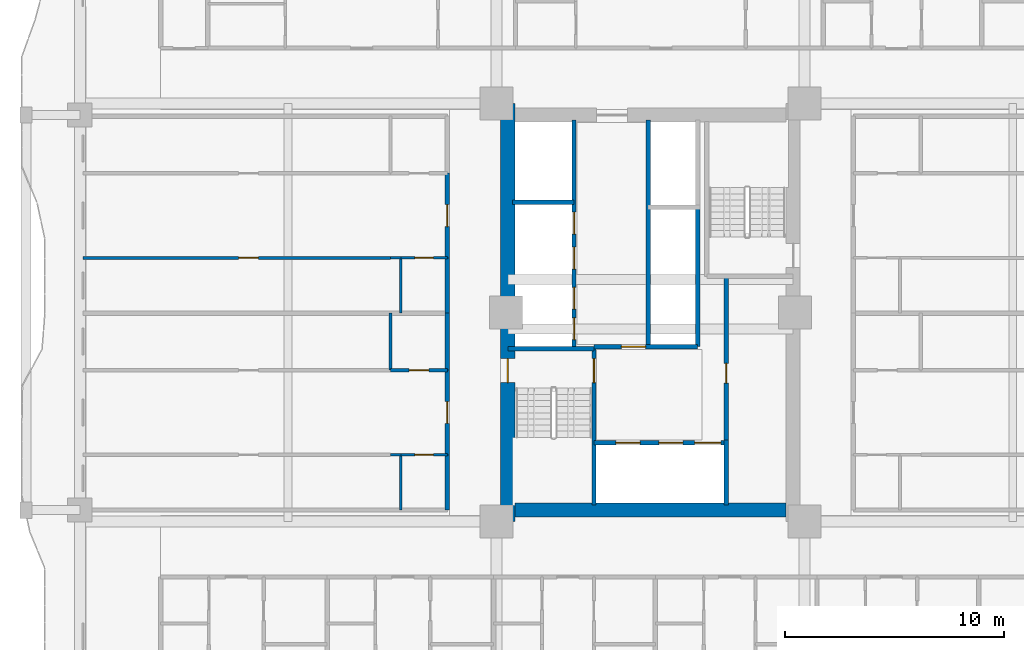
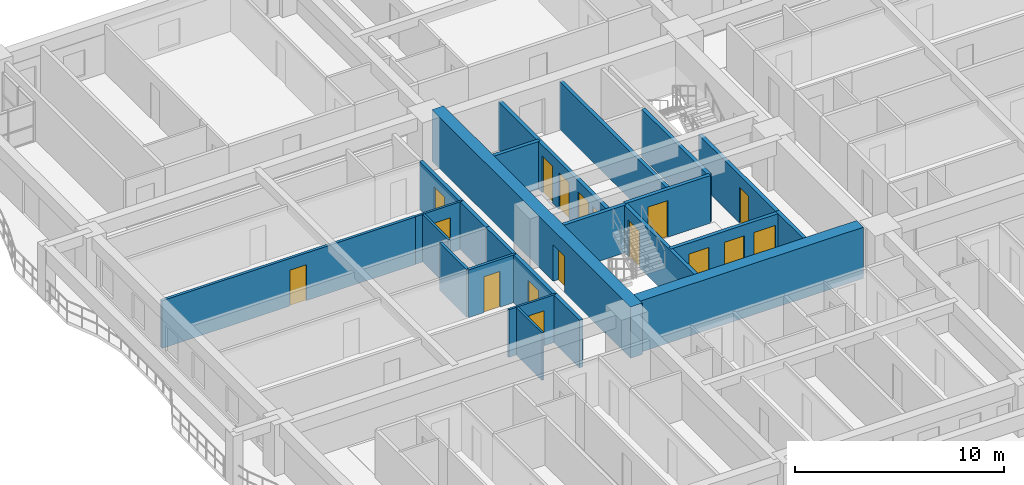
# One storey, part 16 of 28: 26 walls, 17 doors, 17 openings.
"""IFC4 building model written with IfcOpenShell, lengths in metres."""

from ifc_helpers import new_model, si_unit, direction, frame, frame_2d, origin, place, context, subcontext, project, spatial, rectangle, extrude, source, transform, mapped, material, layer, layer_set, type_object, element, fill, save


model = new_model("IFC4")

# Units and contexts
model_context = context("Model", 3, precision=1e-05, world=origin(), true_north=direction((0.0, 1.0)))
body_context = subcontext(model_context, "Body", "Model", "MODEL_VIEW")
ifc_project = project(units=[si_unit("LENGTHUNIT", "METRE"), si_unit("AREAUNIT", "SQUARE_METRE"), si_unit("VOLUMEUNIT", "CUBIC_METRE"), si_unit("PLANEANGLEUNIT", "RADIAN"), si_unit("MASSUNIT", "GRAM", prefix="KILO")], contexts=[model_context])

# Site, building, storey
site_placement = place(None, origin())
site = spatial("IfcSite", under=ifc_project, at=site_placement, CompositionType="ELEMENT")
building_placement = place(site_placement, origin())
building = spatial("IfcBuilding", under=site, at=building_placement, Name="Saelheon Loggia Tower", CompositionType="ELEMENT")
storey_placement = place(building_placement, frame((0.0, 0.0, 25.39990234375)))
storey = spatial("IfcBuildingStorey", under=building, at=storey_placement, Name="L07", CompositionType="ELEMENT", Elevation=25.39990234375)

# Wall, opening, door
ifc_material_1 = material(Name="Concrete C60/75", Category="concrete")
ifc_layer_1 = layer(ifc_material_1, 0.64990234375)
ifc_layer_set_1 = layer_set([ifc_layer_1], Name="Concrete C60/75")
wall_type_1 = type_object("IfcWallType", Name="Wall_CoreShear_650", PredefinedType="SHEAR", material=ifc_layer_set_1)
wall_1_placement = place(storey_placement, frame((31.5, 17.47998046875, 0.0), z_axis=(0.0, 0.0, 1.0), x_axis=(0.0, 1.0, 0.0)))
wall_1 = element("IfcWall", 1, at=wall_1_placement, inside=storey, type_object=wall_type_1, Name="L07 Core Shear Wall West", PredefinedType="SHEAR", context=body_context, shape_type="SweptSolid", body=[
    extrude(rectangle(XDim=19.0400390625, YDim=0.64990234375, at=frame_2d((9.52001953125, 0.0))), origin(), (0.0, 0.0, 1.0), 3.0),
])
opening_1_placement = place(wall_1_placement, frame((6.320068359375, 0.0, 0.0)))
opening_1 = element("IfcOpeningElement", 2, at=opening_1_placement, cuts=wall_1, Name="Opening D-FD2", PredefinedType="OPENING", context=body_context, shape_type="SweptSolid", body=[
    extrude(rectangle(XDim=1.10009765625, YDim=2.14990234375, at=frame_2d((0.550048828125, 1.074951171875))), frame((0.0, 0.3369140625, 0.0), z_axis=(0.0, -1.0, 0.0), x_axis=(1.0, 0.0, 0.0)), (0.0, 0.0, 1.0), 0.673828125),
])
ifc_material_2 = material(Name="Galvanised Steel Fire Door", Category="steel")
door_type_1 = type_object("IfcDoorType", Name="Door_Fire_FD60_1100", OperationType="NOTDEFINED", PredefinedType="DOOR", material=ifc_material_2)
shared_shape_1 = source(origin(), body_context, "Body", "SweptSolid", [
    extrude(rectangle(XDim=1.10009765625, YDim=2.14990234375, at=frame_2d((0.550048828125, 1.074951171875))), frame((0.0, 0.02490234375, 0.0), z_axis=(0.0, -1.0, 0.0), x_axis=(1.0, 0.0, 0.0)), (0.0, 0.0, 1.0), 0.050048828125),
])
door_1_placement = place(opening_1_placement, origin())
door_1 = element("IfcDoor", 3, at=door_1_placement, inside=storey, type_object=door_type_1, Name="L07 Stair ST1 Corridor Door", OperationType="SINGLE_SWING_LEFT", OverallHeight=2.14990234375, OverallWidth=1.10009765625, PredefinedType="DOOR", context=body_context, shape_type="MappedRepresentation", body=[
    mapped(shared_shape_1, transform((0.0, 0.0, 0.0), scale=1.0)),
])
fill(opening_1, door_1)

# Walls
wall_2_placement = place(storey_placement, frame((31.824951171875, 18.0, 0.0), z_axis=(0.0, 0.0, 1.0), x_axis=(1.0, 0.0, 0.0)))
element("IfcWall", 4, at=wall_2_placement, inside=storey, type_object=wall_type_1, Name="L07 Core Shear Wall South", PredefinedType="SHEAR", context=body_context, shape_type="SweptSolid", body=[
    extrude(rectangle(XDim=12.35009765625, YDim=0.64990234375, at=frame_2d((6.175048828125, 0.0))), origin(), (0.0, 0.0, 1.0), 3.0),
])
ifc_material_3 = material(Name="Lightweight Autoclaved Aerated Concrete Block and Acoustic Gypsum", Category="concrete")
ifc_layer_2 = layer(ifc_material_3, 0.14990234375)
ifc_layer_set_2 = layer_set([ifc_layer_2], Name="Lightweight Autoclaved Aerated Concrete Block and Acoustic Gypsum")
wall_type_2 = type_object("IfcWallType", Name="Wall_Part_150", PredefinedType="PARTITIONING", material=ifc_layer_set_2)
wall_3_placement = place(storey_placement, frame((26.159912109375, 24.375, 0.0), z_axis=(0.0, 0.0, 1.0), x_axis=(0.0, 1.0, 0.0)))
element("IfcWall", 5, at=wall_3_placement, inside=storey, type_object=wall_type_2, Name="L07 W Partition V07", PredefinedType="PARTITIONING", context=body_context, shape_type="SweptSolid", body=[
    extrude(rectangle(XDim=2.60009765625, YDim=0.14990234375, at=frame_2d((1.300048828125, 0.0))), origin(), (0.0, 0.0, 1.0), 2.7900390625),
])

# Wall, opening, door
wall_4_placement = place(storey_placement, frame((28.75, 24.375, 0.0), z_axis=(0.0, 0.0, 1.0), x_axis=(-1.0, 0.0, 0.0)))
wall_4 = element("IfcWall", 6, at=wall_4_placement, inside=storey, type_object=wall_type_2, Name="L07 W Partition U11", PredefinedType="PARTITIONING", context=body_context, shape_type="SweptSolid", body=[
    extrude(rectangle(XDim=2.590087890625, YDim=0.14990234375, at=frame_2d((1.294921875, 0.0))), origin(), (0.0, 0.0, 1.0), 2.7900390625),
])
opening_2_placement = place(wall_4_placement, frame((0.844970703125, 0.0, 0.0)))
opening_2 = element("IfcOpeningElement", 7, at=opening_2_placement, cuts=wall_4, Name="Opening D-IN2", PredefinedType="OPENING", context=body_context, shape_type="SweptSolid", body=[
    extrude(rectangle(XDim=0.89990234375, YDim=2.10009765625, at=frame_2d((0.449951171875, 1.050048828125))), frame((0.0, 0.0869140625, 0.0), z_axis=(0.0, -1.0, 0.0), x_axis=(1.0, 0.0, 0.0)), (0.0, 0.0, 1.0), 0.173828125),
])
ifc_material_4 = material(Name="Engineered Oak Flush Door", Category="timber")
door_type_2 = type_object("IfcDoorType", Name="Door_Int_900", OperationType="NOTDEFINED", PredefinedType="DOOR", material=ifc_material_4)
shared_shape_2 = source(origin(), body_context, "Body", "SweptSolid", [
    extrude(rectangle(XDim=0.89990234375, YDim=2.10009765625, at=frame_2d((0.449951171875, 1.050048828125))), frame((0.0, 0.02490234375, 0.0), z_axis=(0.0, -1.0, 0.0), x_axis=(1.0, 0.0, 0.0)), (0.0, 0.0, 1.0), 0.050048828125),
])
door_2_placement = place(opening_2_placement, origin())
door_2 = element("IfcDoor", 8, at=door_2_placement, inside=storey, type_object=door_type_2, Name="Unit U11 Dressing Closet Door", OperationType="SINGLE_SWING_LEFT", OverallHeight=2.10009765625, OverallWidth=0.89990234375, PredefinedType="DOOR", context=body_context, shape_type="MappedRepresentation", body=[
    mapped(shared_shape_2, transform((0.0, 0.0, 0.0), scale=1.0)),
])
fill(opening_2, door_2)

wall_5_placement = place(storey_placement, frame((26.159912109375, 29.488037109375, 0.0), z_axis=(0.0, 0.0, 1.0), x_axis=(-1.0, 0.0, 0.0)))
wall_5 = element("IfcWall", 9, at=wall_5_placement, inside=storey, type_object=wall_type_2, Name="L07 W Partition U21", PredefinedType="PARTITIONING", context=body_context, shape_type="SweptSolid", body=[
    extrude(rectangle(XDim=14.010009765625, YDim=0.14990234375, at=frame_2d((7.0048828125, 0.0))), origin(), (0.0, 0.0, 1.0), 2.7900390625),
])
opening_3_placement = place(wall_5_placement, frame((6.02880859375, 0.0, 0.0)))
opening_3 = element("IfcOpeningElement", 10, at=opening_3_placement, cuts=wall_5, Name="Opening D-IN2", PredefinedType="OPENING", context=body_context, shape_type="SweptSolid", body=[
    extrude(rectangle(XDim=0.89990234375, YDim=2.10009765625, at=frame_2d((0.449951171875, 1.050048828125))), frame((0.0, 0.0869140625, 0.0), z_axis=(0.0, -1.0, 0.0), x_axis=(1.0, 0.0, 0.0)), (0.0, 0.0, 1.0), 0.173828125),
])
door_3_placement = place(opening_3_placement, origin())
door_3 = element("IfcDoor", 11, at=door_3_placement, inside=storey, type_object=door_type_2, Name="Unit U12 Kitchen Door", OperationType="SINGLE_SWING_LEFT", OverallHeight=2.10009765625, OverallWidth=0.89990234375, PredefinedType="DOOR", context=body_context, shape_type="MappedRepresentation", body=[
    mapped(shared_shape_2, transform((0.0, 0.0, 0.0), scale=1.0)),
])
fill(opening_3, door_3)

# Wall
ifc_material_5 = material(Name="Double Acoustic Stud and Fireboard Partition", Category="gypsum")
ifc_layer_3 = layer(ifc_material_5, 0.199951171875)
ifc_layer_set_3 = layer_set([ifc_layer_3], Name="Double Acoustic Stud and Fireboard Partition")
wall_type_3 = type_object("IfcWallType", Name="Wall_Party_200", PredefinedType="PARTITIONING", material=ifc_layer_set_3)
wall_6_placement = place(storey_placement, frame((28.75, 18.0, 0.0), z_axis=(0.0, 0.0, 1.0), x_axis=(0.0, 1.0, 0.0)))
element("IfcWall", 12, at=wall_6_placement, inside=storey, type_object=wall_type_3, Name="L07 W Partition V03", PredefinedType="PARTITIONING", context=body_context, shape_type="SweptSolid", body=[
    extrude(rectangle(XDim=2.512939453125, YDim=0.199951171875, at=frame_2d((1.25634765625, 0.0))), origin(), (0.0, 0.0, 1.0), 2.7900390625),
])

# Wall, opening, door
wall_7_placement = place(storey_placement, frame((28.75, 20.512939453125, 0.0), z_axis=(0.0, 0.0, 1.0), x_axis=(0.0, 1.0, 0.0)))
wall_7 = element("IfcWall", 13, at=wall_7_placement, inside=storey, type_object=wall_type_3, Name="L07 W Partition V04", PredefinedType="PARTITIONING", context=body_context, shape_type="SweptSolid", body=[
    extrude(rectangle(XDim=3.862060546875, YDim=0.199951171875, at=frame_2d((1.93115234375, 0.0))), origin(), (0.0, 0.0, 1.0), 2.7900390625),
])
opening_4_placement = place(wall_7_placement, frame((1.430908203125, 0.0, 0.0)))
opening_4 = element("IfcOpeningElement", 14, at=opening_4_placement, cuts=wall_7, Name="Opening D-FD1", PredefinedType="OPENING", context=body_context, shape_type="SweptSolid", body=[
    extrude(rectangle(XDim=1.0, YDim=2.14990234375, at=frame_2d((0.5, 1.074951171875))), frame((0.0, 0.112060546875, 0.0), z_axis=(0.0, -1.0, 0.0), x_axis=(1.0, 0.0, 0.0)), (0.0, 0.0, 1.0), 0.223876953125),
])
ifc_material_6 = material(Name="Fire-Rated Engineered Timber Entrance Door", Category="wood")
door_type_3 = type_object("IfcDoorType", Name="Door_Flat_FD30S", OperationType="NOTDEFINED", PredefinedType="DOOR", material=ifc_material_6)
shared_shape_3 = source(origin(), body_context, "Body", "SweptSolid", [
    extrude(rectangle(XDim=1.0, YDim=2.14990234375, at=frame_2d((0.5, 1.074951171875))), frame((0.0, 0.02490234375, 0.0), z_axis=(0.0, -1.0, 0.0), x_axis=(1.0, 0.0, 0.0)), (0.0, 0.0, 1.0), 0.050048828125),
])
door_4_placement = place(opening_4_placement, origin())
door_4 = element("IfcDoor", 15, at=door_4_placement, inside=storey, type_object=door_type_3, Name="Unit U11 Entrance Door", OperationType="SINGLE_SWING_RIGHT", OverallHeight=2.14990234375, OverallWidth=1.0, PredefinedType="DOOR", context=body_context, shape_type="MappedRepresentation", body=[
    mapped(shared_shape_3, transform((0.0, 0.0, 0.0), scale=1.0)),
])
fill(opening_4, door_4)

# Walls
wall_8_placement = place(storey_placement, frame((28.75, 24.375, 0.0), z_axis=(0.0, 0.0, 1.0), x_axis=(0.0, 1.0, 0.0)))
element("IfcWall", 16, at=wall_8_placement, inside=storey, type_object=wall_type_3, Name="L07 W Partition V05", PredefinedType="PARTITIONING", context=body_context, shape_type="SweptSolid", body=[
    extrude(rectangle(XDim=2.60009765625, YDim=0.199951171875, at=frame_2d((1.300048828125, 0.0))), origin(), (0.0, 0.0, 1.0), 2.7900390625),
])
wall_9_placement = place(storey_placement, frame((28.75, 26.97509765625, 0.0), z_axis=(0.0, 0.0, 1.0), x_axis=(0.0, 1.0, 0.0)))
element("IfcWall", 17, at=wall_9_placement, inside=storey, type_object=wall_type_3, Name="L07 W Partition V14", PredefinedType="PARTITIONING", context=body_context, shape_type="SweptSolid", body=[
    extrude(rectangle(XDim=2.512939453125, YDim=0.199951171875, at=frame_2d((1.25634765625, 0.0))), origin(), (0.0, 0.0, 1.0), 2.7900390625),
])

# Wall, opening, door
wall_10_placement = place(storey_placement, frame((28.75, 29.488037109375, 0.0), z_axis=(0.0, 0.0, 1.0), x_axis=(0.0, 1.0, 0.0)))
wall_10 = element("IfcWall", 18, at=wall_10_placement, inside=storey, type_object=wall_type_3, Name="L07 W Partition V15", PredefinedType="PARTITIONING", context=body_context, shape_type="SweptSolid", body=[
    extrude(rectangle(XDim=3.862060546875, YDim=0.199951171875, at=frame_2d((1.93115234375, 0.0))), origin(), (0.0, 0.0, 1.0), 2.7900390625),
])
opening_5_placement = place(wall_10_placement, frame((1.430908203125, 0.0, 0.0)))
opening_5 = element("IfcOpeningElement", 19, at=opening_5_placement, cuts=wall_10, Name="Opening D-FD1", PredefinedType="OPENING", context=body_context, shape_type="SweptSolid", body=[
    extrude(rectangle(XDim=1.0, YDim=2.14990234375, at=frame_2d((0.5, 1.074951171875))), frame((0.0, 0.112060546875, 0.0), z_axis=(0.0, -1.0, 0.0), x_axis=(1.0, 0.0, 0.0)), (0.0, 0.0, 1.0), 0.223876953125),
])
door_5_placement = place(opening_5_placement, origin())
door_5 = element("IfcDoor", 20, at=door_5_placement, inside=storey, type_object=door_type_3, Name="Unit U12 Entrance Door", OperationType="SINGLE_SWING_LEFT", OverallHeight=2.14990234375, OverallWidth=1.0, PredefinedType="DOOR", context=body_context, shape_type="MappedRepresentation", body=[
    mapped(shared_shape_3, transform((0.0, 0.0, 0.0), scale=1.0)),
])
fill(opening_5, door_5)

# Wall
ifc_material_7 = material(Name="Concrete C40/50", Category="concrete")
ifc_layer_4 = layer(ifc_material_7, 0.199951171875)
ifc_layer_set_4 = layer_set([ifc_layer_4], Name="Concrete C40/50")
wall_type_4 = type_object("IfcWallType", Name="Wall_Shaft_200", PredefinedType="PARTITIONING", material=ifc_layer_set_4)
wall_11_placement = place(storey_placement, frame((41.449951171875, 18.219970703125, 0.0), z_axis=(0.0, 0.0, 1.0), x_axis=(0.0, 1.0, 0.0)))
element("IfcWall", 21, at=wall_11_placement, inside=storey, type_object=wall_type_4, Name="CW-INT-L07-BOH-W0", PredefinedType="PARTITIONING", context=body_context, shape_type="SweptSolid", body=[
    extrude(rectangle(XDim=2.9599609375, YDim=0.199951171875, at=frame_2d((1.47998046875, 0.0))), origin(), (0.0, 0.0, 1.0), 2.7900390625),
])

# Wall, opening, door
wall_12_placement = place(storey_placement, frame((41.449951171875, 21.179931640625, 0.0), z_axis=(0.0, 0.0, 1.0), x_axis=(0.0, 1.0, 0.0)))
wall_12 = element("IfcWall", 22, at=wall_12_placement, inside=storey, type_object=wall_type_4, Name="CW-INT-L07-BOH-W1", PredefinedType="PARTITIONING", context=body_context, shape_type="SweptSolid", body=[
    extrude(rectangle(XDim=7.420166015625, YDim=0.199951171875, at=frame_2d((3.7099609375, 0.0))), origin(), (0.0, 0.0, 1.0), 2.7900390625),
])
opening_6_placement = place(wall_12_placement, frame((2.60009765625, 0.0, 0.0)))
opening_6 = element("IfcOpeningElement", 23, at=opening_6_placement, cuts=wall_12, Name="Opening D-RS1", PredefinedType="OPENING", context=body_context, shape_type="SweptSolid", body=[
    extrude(rectangle(XDim=0.89990234375, YDim=2.10009765625, at=frame_2d((0.449951171875, 1.050048828125))), frame((0.0, 0.112060546875, 0.0), z_axis=(0.0, -1.0, 0.0), x_axis=(1.0, 0.0, 0.0)), (0.0, 0.0, 1.0), 0.223876953125),
])
ifc_material_8 = material(Name="Galvanised Steel Riser Access Door", Category="steel")
door_type_4 = type_object("IfcDoorType", Name="Door_Riser_FD60", OperationType="NOTDEFINED", PredefinedType="DOOR", material=ifc_material_8)
door_6_placement = place(opening_6_placement, origin())
door_6 = element("IfcDoor", 24, at=door_6_placement, inside=storey, type_object=door_type_4, Name="L07 Core Service Store Door", OperationType="SINGLE_SWING_RIGHT", OverallHeight=2.10009765625, OverallWidth=0.89990234375, PredefinedType="DOOR", context=body_context, shape_type="MappedRepresentation", body=[
    mapped(shared_shape_2, transform((0.0, 0.0, 0.0), scale=1.0)),
])
fill(opening_6, door_6)

# Wall
wall_13_placement = place(storey_placement, frame((40.14990234375, 25.43994140625, 0.0), z_axis=(0.0, 0.0, 1.0), x_axis=(0.0, 1.0, 0.0)))
element("IfcWall", 25, at=wall_13_placement, inside=storey, type_object=wall_type_4, Name="L07 Core Service Passage West Wall", PredefinedType="PARTITIONING", context=body_context, shape_type="SweptSolid", body=[
    extrude(rectangle(XDim=6.360107421875, YDim=0.199951171875, at=frame_2d((3.18017578125, 0.0))), origin(), (0.0, 0.0, 1.0), 2.7900390625),
])

# Wall, openings, doors
wall_14_placement = place(storey_placement, frame((35.429931640625, 21.06005859375, 0.0), z_axis=(0.0, 0.0, 1.0), x_axis=(1.0, 0.0, 0.0)))
wall_14 = element("IfcWall", 26, at=wall_14_placement, inside=storey, type_object=wall_type_4, Name="L07 Firefighting Lift Shaft Front Wall", PredefinedType="PARTITIONING", context=body_context, shape_type="SweptSolid", body=[
    extrude(rectangle(XDim=6.02001953125, YDim=0.199951171875, at=frame_2d((3.010009765625, 0.0))), origin(), (0.0, 0.0, 1.0), 2.7900390625),
])
opening_7_placement = place(wall_14_placement, frame((1.0, 0.0, 0.0)))
opening_7 = element("IfcOpeningElement", 27, at=opening_7_placement, cuts=wall_14, Name="Opening LD2", PredefinedType="OPENING", context=body_context, shape_type="SweptSolid", body=[
    extrude(rectangle(XDim=1.10009765625, YDim=2.14990234375, at=frame_2d((0.550048828125, 1.074951171875))), frame((0.0, 0.112060546875, 0.0), z_axis=(0.0, -1.0, 0.0), x_axis=(1.0, 0.0, 0.0)), (0.0, 0.0, 1.0), 0.223876953125),
])
opening_8_placement = place(wall_14_placement, frame((2.949951171875, 0.0, 0.0)))
opening_8 = element("IfcOpeningElement", 28, at=opening_8_placement, cuts=wall_14, Name="Opening LD2", PredefinedType="OPENING", context=body_context, shape_type="SweptSolid", body=[
    extrude(rectangle(XDim=1.10009765625, YDim=2.14990234375, at=frame_2d((0.550048828125, 1.074951171875))), frame((0.0, 0.112060546875, 0.0), z_axis=(0.0, -1.0, 0.0), x_axis=(1.0, 0.0, 0.0)), (0.0, 0.0, 1.0), 0.223876953125),
])
opening_9_placement = place(wall_14_placement, frame((4.580078125, 0.0, 0.0)))
opening_9 = element("IfcOpeningElement", 29, at=opening_9_placement, cuts=wall_14, Name="Opening LD3", PredefinedType="OPENING", context=body_context, shape_type="SweptSolid", body=[
    extrude(rectangle(XDim=1.199951171875, YDim=2.14990234375, at=frame_2d((0.60009765625, 1.074951171875))), frame((0.0, 0.112060546875, 0.0), z_axis=(0.0, -1.0, 0.0), x_axis=(1.0, 0.0, 0.0)), (0.0, 0.0, 1.0), 0.223876953125),
])
ifc_material_9 = material(Name="Firefighting Stainless Steel 316 Landing Door", Category="steel")
door_type_5 = type_object("IfcDoorType", Name="Door_Lift_LD2", OperationType="DOUBLE_DOOR_SLIDING", PredefinedType="DOOR", material=ifc_material_9)
door_7_placement = place(opening_7_placement, origin())
door_7 = element("IfcDoor", 30, at=door_7_placement, inside=storey, type_object=door_type_5, Name="L07 FF1 Landing Door", OperationType="DOUBLE_DOOR_SLIDING", OverallHeight=2.14990234375, OverallWidth=1.10009765625, PredefinedType="DOOR", context=body_context, shape_type="MappedRepresentation", body=[
    mapped(shared_shape_1, transform((0.0, 0.0, 0.0), scale=1.0)),
])
fill(opening_7, door_7)
door_8_placement = place(opening_8_placement, origin())
door_8 = element("IfcDoor", 31, at=door_8_placement, inside=storey, type_object=door_type_5, Name="L07 FF2 Landing Door", OperationType="DOUBLE_DOOR_SLIDING", OverallHeight=2.14990234375, OverallWidth=1.10009765625, PredefinedType="DOOR", context=body_context, shape_type="MappedRepresentation", body=[
    mapped(shared_shape_1, transform((0.0, 0.0, 0.0), scale=1.0)),
])
fill(opening_8, door_8)
ifc_material_10 = material(Name="Stretcher Lift Stainless Steel 304 Landing Door", Category="steel")
door_type_6 = type_object("IfcDoorType", Name="Door_Lift_LD3", OperationType="DOUBLE_DOOR_SLIDING", PredefinedType="DOOR", material=ifc_material_10)
shared_shape_4 = source(origin(), body_context, "Body", "SweptSolid", [
    extrude(rectangle(XDim=1.199951171875, YDim=2.14990234375, at=frame_2d((0.60009765625, 1.074951171875))), frame((0.0, 0.02490234375, 0.0), z_axis=(0.0, -1.0, 0.0), x_axis=(1.0, 0.0, 0.0)), (0.0, 0.0, 1.0), 0.050048828125),
])
door_9_placement = place(opening_9_placement, origin())
door_9 = element("IfcDoor", 32, at=door_9_placement, inside=storey, type_object=door_type_6, Name="L07 SV1 Landing Door", OperationType="DOUBLE_DOOR_SLIDING", OverallHeight=2.14990234375, OverallWidth=1.199951171875, PredefinedType="DOOR", context=body_context, shape_type="MappedRepresentation", body=[
    mapped(shared_shape_4, transform((0.0, 0.0, 0.0), scale=1.0)),
])
fill(opening_9, door_9)

# Wall, opening, door
wall_15_placement = place(storey_placement, frame((35.429931640625, 25.43994140625, 0.0), z_axis=(0.0, 0.0, 1.0), x_axis=(1.0, 0.0, 0.0)))
wall_15 = element("IfcWall", 33, at=wall_15_placement, inside=storey, type_object=wall_type_4, Name="L07 Firefighting Lobby Compartment Wall", PredefinedType="PARTITIONING", context=body_context, shape_type="SweptSolid", body=[
    extrude(rectangle(XDim=4.719970703125, YDim=0.199951171875, at=frame_2d((2.35986328125, 0.0))), origin(), (0.0, 0.0, 1.0), 2.7900390625),
])
opening_10_placement = place(wall_15_placement, frame((1.25, 0.0, 0.0)))
opening_10 = element("IfcOpeningElement", 34, at=opening_10_placement, cuts=wall_15, Name="Opening D-FD2", PredefinedType="OPENING", context=body_context, shape_type="SweptSolid", body=[
    extrude(rectangle(XDim=1.10009765625, YDim=2.14990234375, at=frame_2d((0.550048828125, 1.074951171875))), frame((0.0, 0.112060546875, 0.0), z_axis=(0.0, -1.0, 0.0), x_axis=(1.0, 0.0, 0.0)), (0.0, 0.0, 1.0), 0.223876953125),
])
door_10_placement = place(opening_10_placement, origin())
door_10 = element("IfcDoor", 35, at=door_10_placement, inside=storey, type_object=door_type_1, Name="L07 Firefighting Lobby Door", OperationType="SINGLE_SWING_LEFT", OverallHeight=2.14990234375, OverallWidth=1.10009765625, PredefinedType="DOOR", context=body_context, shape_type="MappedRepresentation", body=[
    mapped(shared_shape_1, transform((0.0, 0.0, 0.0), scale=1.0)),
])
fill(opening_10, door_10)

# Wall, openings, doors
wall_16_placement = place(storey_placement, frame((34.52001953125, 25.43994140625, 0.0), z_axis=(0.0, 0.0, 1.0), x_axis=(0.0, 1.0, 0.0)))
wall_16 = element("IfcWall", 36, at=wall_16_placement, inside=storey, type_object=wall_type_4, Name="L07 West Passenger Lift Bank Wall", PredefinedType="PARTITIONING", context=body_context, shape_type="SweptSolid", body=[
    extrude(rectangle(XDim=10.340087890625, YDim=0.199951171875, at=frame_2d((5.169921875, 0.0))), origin(), (0.0, 0.0, 1.0), 2.7900390625),
])
opening_11_placement = place(wall_16_placement, frame((0.320068359375, 0.0, 0.0)))
opening_11 = element("IfcOpeningElement", 37, at=opening_11_placement, cuts=wall_16, Name="Opening LD1", PredefinedType="OPENING", context=body_context, shape_type="SweptSolid", body=[
    extrude(rectangle(XDim=1.0, YDim=2.14990234375, at=frame_2d((0.5, 1.074951171875))), frame((0.0, 0.112060546875, 0.0), z_axis=(0.0, -1.0, 0.0), x_axis=(1.0, 0.0, 0.0)), (0.0, 0.0, 1.0), 0.223876953125),
])
opening_12_placement = place(wall_16_placement, frame((1.7099609375, 0.0, 0.0)))
opening_12 = element("IfcOpeningElement", 38, at=opening_12_placement, cuts=wall_16, Name="Opening LD1", PredefinedType="OPENING", context=body_context, shape_type="SweptSolid", body=[
    extrude(rectangle(XDim=1.0, YDim=2.14990234375, at=frame_2d((0.5, 1.074951171875))), frame((0.0, 0.112060546875, 0.0), z_axis=(0.0, -1.0, 0.0), x_axis=(1.0, 0.0, 0.0)), (0.0, 0.0, 1.0), 0.223876953125),
])
opening_13_placement = place(wall_16_placement, frame((3.534912109375, 0.0, 0.0)))
opening_13 = element("IfcOpeningElement", 39, at=opening_13_placement, cuts=wall_16, Name="Opening LD1", PredefinedType="OPENING", context=body_context, shape_type="SweptSolid", body=[
    extrude(rectangle(XDim=1.0, YDim=2.14990234375, at=frame_2d((0.5, 1.074951171875))), frame((0.0, 0.112060546875, 0.0), z_axis=(0.0, -1.0, 0.0), x_axis=(1.0, 0.0, 0.0)), (0.0, 0.0, 1.0), 0.223876953125),
])
opening_14_placement = place(wall_16_placement, frame((5.135009765625, 0.0, 0.0)))
opening_14 = element("IfcOpeningElement", 40, at=opening_14_placement, cuts=wall_16, Name="Opening LD1", PredefinedType="OPENING", context=body_context, shape_type="SweptSolid", body=[
    extrude(rectangle(XDim=1.0, YDim=2.14990234375, at=frame_2d((0.5, 1.074951171875))), frame((0.0, 0.112060546875, 0.0), z_axis=(0.0, -1.0, 0.0), x_axis=(1.0, 0.0, 0.0)), (0.0, 0.0, 1.0), 0.223876953125),
])
ifc_material_11 = material(Name="Brushed Stainless Steel 304 Landing Door", Category="steel")
door_type_7 = type_object("IfcDoorType", Name="Door_Lift_LD1", OperationType="DOUBLE_DOOR_SLIDING", PredefinedType="DOOR", material=ifc_material_11)
door_11_placement = place(opening_11_placement, origin())
door_11 = element("IfcDoor", 41, at=door_11_placement, inside=storey, type_object=door_type_7, Name="L07 PL1 Landing Door", OperationType="DOUBLE_DOOR_SLIDING", OverallHeight=2.14990234375, OverallWidth=1.0, PredefinedType="DOOR", context=body_context, shape_type="MappedRepresentation", body=[
    mapped(shared_shape_3, transform((0.0, 0.0, 0.0), scale=1.0)),
])
fill(opening_11, door_11)
door_12_placement = place(opening_12_placement, origin())
door_12 = element("IfcDoor", 42, at=door_12_placement, inside=storey, type_object=door_type_7, Name="L07 PL2 Landing Door", OperationType="DOUBLE_DOOR_SLIDING", OverallHeight=2.14990234375, OverallWidth=1.0, PredefinedType="DOOR", context=body_context, shape_type="MappedRepresentation", body=[
    mapped(shared_shape_3, transform((0.0, 0.0, 0.0), scale=1.0)),
])
fill(opening_12, door_12)
door_13_placement = place(opening_13_placement, origin())
door_13 = element("IfcDoor", 43, at=door_13_placement, inside=storey, type_object=door_type_7, Name="L07 PL3 Landing Door", OperationType="DOUBLE_DOOR_SLIDING", OverallHeight=2.14990234375, OverallWidth=1.0, PredefinedType="DOOR", context=body_context, shape_type="MappedRepresentation", body=[
    mapped(shared_shape_3, transform((0.0, 0.0, 0.0), scale=1.0)),
])
fill(opening_13, door_13)
door_14_placement = place(opening_14_placement, origin())
door_14 = element("IfcDoor", 44, at=door_14_placement, inside=storey, type_object=door_type_7, Name="L07 PL4 Landing Door", OperationType="DOUBLE_DOOR_SLIDING", OverallHeight=2.14990234375, OverallWidth=1.0, PredefinedType="DOOR", context=body_context, shape_type="MappedRepresentation", body=[
    mapped(shared_shape_3, transform((0.0, 0.0, 0.0), scale=1.0)),
])
fill(opening_14, door_14)

# Walls
wall_17_placement = place(storey_placement, frame((31.719970703125, 32.02001953125, 0.0), z_axis=(0.0, 0.0, 1.0), x_axis=(1.0, 0.0, 0.0)))
element("IfcWall", 45, at=wall_17_placement, inside=storey, type_object=wall_type_4, Name="L07 West High-Rise Shaft Divider", PredefinedType="PARTITIONING", context=body_context, shape_type="SweptSolid", body=[
    extrude(rectangle(XDim=2.800048828125, YDim=0.199951171875, at=frame_2d((1.39990234375, 0.0))), origin(), (0.0, 0.0, 1.0), 2.7900390625),
])
wall_18_placement = place(storey_placement, frame((37.89990234375, 25.43994140625, 0.0), z_axis=(0.0, 0.0, 1.0), x_axis=(0.0, 1.0, 0.0)))
element("IfcWall", 46, at=wall_18_placement, inside=storey, type_object=wall_type_4, Name="L07 East Passenger Lift Bank Wall", PredefinedType="PARTITIONING", context=body_context, shape_type="SweptSolid", body=[
    extrude(rectangle(XDim=10.340087890625, YDim=0.199951171875, at=frame_2d((5.169921875, 0.0))), origin(), (0.0, 0.0, 1.0), 2.7900390625),
])

# Wall, opening, door
ifc_material_12 = material(Name="Concrete C45/55", Category="concrete")
ifc_layer_5 = layer(ifc_material_12, 0.199951171875)
ifc_layer_set_5 = layer_set([ifc_layer_5], Name="Concrete C45/55")
wall_type_5 = type_object("IfcWallType", Name="Wall_StairShaft_RC200", PredefinedType="SOLIDWALL", material=ifc_layer_set_5)
wall_19_placement = place(storey_placement, frame((35.429931640625, 18.219970703125, 0.0), z_axis=(0.0, 0.0, 1.0), x_axis=(0.0, 1.0, 0.0)))
wall_19 = element("IfcWall", 47, at=wall_19_placement, inside=storey, type_object=wall_type_5, Name="L07 Stair ST1 Shaft Wall", PredefinedType="SOLIDWALL", context=body_context, shape_type="SweptSolid", body=[
    extrude(rectangle(XDim=7.219970703125, YDim=0.199951171875, at=frame_2d((3.60986328125, 0.0))), origin(), (0.0, 0.0, 1.0), 2.7900390625),
])
opening_15_placement = place(wall_19_placement, frame((6.68017578125, 0.0, 0.0), z_axis=(0.0, 0.0, 1.0), x_axis=(-1.0, 0.0, 0.0)))
opening_15 = element("IfcOpeningElement", 48, at=opening_15_placement, cuts=wall_19, Name="Opening D-FD2", PredefinedType="OPENING", context=body_context, shape_type="SweptSolid", body=[
    extrude(rectangle(XDim=1.10009765625, YDim=2.14990234375, at=frame_2d((0.550048828125, 1.074951171875))), frame((0.0, 0.112060546875, 0.0), z_axis=(0.0, -1.0, 0.0), x_axis=(1.0, 0.0, 0.0)), (0.0, 0.0, 1.0), 0.223876953125),
])
door_15_placement = place(opening_15_placement, origin())
door_15 = element("IfcDoor", 49, at=door_15_placement, inside=storey, type_object=door_type_1, Name="L07 Stair ST1 Lobby Door", OperationType="SINGLE_SWING_RIGHT", OverallHeight=2.14990234375, OverallWidth=1.10009765625, PredefinedType="DOOR", context=body_context, shape_type="MappedRepresentation", body=[
    mapped(shared_shape_1, transform((0.0, 0.0, 0.0), scale=1.0)),
])
fill(opening_15, door_15)

# Walls
wall_20_placement = place(storey_placement, frame((31.5, 25.35009765625, 0.0), z_axis=(0.0, 0.0, 1.0), x_axis=(1.0, 0.0, 0.0)))
element("IfcWall", 50, at=wall_20_placement, inside=storey, type_object=wall_type_5, Name="L07 Stair ST1 North Wall", PredefinedType="SOLIDWALL", context=body_context, shape_type="SweptSolid", body=[
    extrude(rectangle(XDim=3.929931640625, YDim=0.199951171875, at=frame_2d((1.96484375, 0.0))), origin(), (0.0, 0.0, 1.0), 2.7900390625),
])
ifc_material_13 = material(Name="Moisture-Resistant Cement Board Partition", Category="gypsum")
ifc_layer_6 = layer(ifc_material_13, 0.1201171875)
ifc_layer_set_6 = layer_set([ifc_layer_6], Name="Moisture-Resistant Cement Board Partition")
wall_type_6 = type_object("IfcWallType", Name="Wall_WetPart_120", PredefinedType="PARTITIONING", material=ifc_layer_set_6)
wall_21_placement = place(storey_placement, frame((26.6298828125, 18.0, 0.0), z_axis=(0.0, 0.0, 1.0), x_axis=(0.0, 1.0, 0.0)))
element("IfcWall", 51, at=wall_21_placement, inside=storey, type_object=wall_type_6, Name="L07 W Partition V06", PredefinedType="PARTITIONING", context=body_context, shape_type="SweptSolid", body=[
    extrude(rectangle(XDim=2.512939453125, YDim=0.1201171875, at=frame_2d((1.25634765625, 0.0))), origin(), (0.0, 0.0, 1.0), 2.7900390625),
])

# Wall, opening, door
wall_22_placement = place(storey_placement, frame((28.75, 20.512939453125, 0.0), z_axis=(0.0, 0.0, 1.0), x_axis=(-1.0, 0.0, 0.0)))
wall_22 = element("IfcWall", 52, at=wall_22_placement, inside=storey, type_object=wall_type_6, Name="L07 W Partition U08", PredefinedType="PARTITIONING", context=body_context, shape_type="SweptSolid", body=[
    extrude(rectangle(XDim=2.1201171875, YDim=0.1201171875, at=frame_2d((1.06005859375, 0.0))), origin(), (0.0, 0.0, 1.0), 2.7900390625),
])
opening_16_placement = place(wall_22_placement, frame((0.635009765625, 0.0, 0.0)))
opening_16 = element("IfcOpeningElement", 53, at=opening_16_placement, cuts=wall_22, Name="Opening D-BT1", PredefinedType="OPENING", context=body_context, shape_type="SweptSolid", body=[
    extrude(rectangle(XDim=0.85009765625, YDim=2.050048828125, at=frame_2d((0.425048828125, 1.02490234375))), frame((0.0, 0.072021484375, 0.0), z_axis=(0.0, -1.0, 0.0), x_axis=(1.0, 0.0, 0.0)), (0.0, 0.0, 1.0), 0.14404296875),
])
ifc_material_14 = material(Name="Moisture-Resistant Laminate Timber Door", Category="wood")
door_type_8 = type_object("IfcDoorType", Name="Door_Bath_850", OperationType="NOTDEFINED", PredefinedType="DOOR", material=ifc_material_14)
shared_shape_5 = source(origin(), body_context, "Body", "SweptSolid", [
    extrude(rectangle(XDim=0.85009765625, YDim=2.050048828125, at=frame_2d((0.425048828125, 1.02490234375))), frame((0.0, 0.02490234375, 0.0), z_axis=(0.0, -1.0, 0.0), x_axis=(1.0, 0.0, 0.0)), (0.0, 0.0, 1.0), 0.050048828125),
])
door_16_placement = place(opening_16_placement, origin())
door_16 = element("IfcDoor", 54, at=door_16_placement, inside=storey, type_object=door_type_8, Name="Unit U11 Bathroom Door", OperationType="SINGLE_SWING_LEFT", OverallHeight=2.050048828125, OverallWidth=0.85009765625, PredefinedType="DOOR", context=body_context, shape_type="MappedRepresentation", body=[
    mapped(shared_shape_5, transform((0.0, 0.0, 0.0), scale=1.0)),
])
fill(opening_16, door_16)

# Walls
wall_23_placement = place(storey_placement, frame((26.6298828125, 20.512939453125, 0.0), z_axis=(0.0, 0.0, 1.0), x_axis=(-1.0, 0.0, 0.0)))
element("IfcWall", 55, at=wall_23_placement, inside=storey, type_object=wall_type_6, Name="L07 W Partition U09", PredefinedType="PARTITIONING", context=body_context, shape_type="SweptSolid", body=[
    extrude(rectangle(XDim=0.469970703125, YDim=0.1201171875, at=frame_2d((0.23486328125, 0.0))), origin(), (0.0, 0.0, 1.0), 2.7900390625),
])
wall_24_placement = place(storey_placement, frame((26.6298828125, 26.97509765625, 0.0), z_axis=(0.0, 0.0, 1.0), x_axis=(0.0, 1.0, 0.0)))
element("IfcWall", 56, at=wall_24_placement, inside=storey, type_object=wall_type_6, Name="L07 W Partition V17", PredefinedType="PARTITIONING", context=body_context, shape_type="SweptSolid", body=[
    extrude(rectangle(XDim=2.512939453125, YDim=0.1201171875, at=frame_2d((1.25634765625, 0.0))), origin(), (0.0, 0.0, 1.0), 2.7900390625),
])

# Wall, opening, door
wall_25_placement = place(storey_placement, frame((28.75, 29.488037109375, 0.0), z_axis=(0.0, 0.0, 1.0), x_axis=(-1.0, 0.0, 0.0)))
wall_25 = element("IfcWall", 57, at=wall_25_placement, inside=storey, type_object=wall_type_6, Name="L07 W Partition U19", PredefinedType="PARTITIONING", context=body_context, shape_type="SweptSolid", body=[
    extrude(rectangle(XDim=2.1201171875, YDim=0.1201171875, at=frame_2d((1.06005859375, 0.0))), origin(), (0.0, 0.0, 1.0), 2.7900390625),
])
opening_17_placement = place(wall_25_placement, frame((0.635009765625, 0.0, 0.0)))
opening_17 = element("IfcOpeningElement", 58, at=opening_17_placement, cuts=wall_25, Name="Opening D-BT1", PredefinedType="OPENING", context=body_context, shape_type="SweptSolid", body=[
    extrude(rectangle(XDim=0.85009765625, YDim=2.050048828125, at=frame_2d((0.425048828125, 1.02490234375))), frame((0.0, 0.072021484375, 0.0), z_axis=(0.0, -1.0, 0.0), x_axis=(1.0, 0.0, 0.0)), (0.0, 0.0, 1.0), 0.14404296875),
])
door_17_placement = place(opening_17_placement, origin())
door_17 = element("IfcDoor", 59, at=door_17_placement, inside=storey, type_object=door_type_8, Name="Unit U12 Bathroom Door", OperationType="SINGLE_SWING_RIGHT", OverallHeight=2.050048828125, OverallWidth=0.85009765625, PredefinedType="DOOR", context=body_context, shape_type="MappedRepresentation", body=[
    mapped(shared_shape_5, transform((0.0, 0.0, 0.0), scale=1.0)),
])
fill(opening_17, door_17)

# Wall
wall_26_placement = place(storey_placement, frame((26.6298828125, 29.488037109375, 0.0), z_axis=(0.0, 0.0, 1.0), x_axis=(-1.0, 0.0, 0.0)))
element("IfcWall", 60, at=wall_26_placement, inside=storey, type_object=wall_type_6, Name="L07 W Partition U20", PredefinedType="PARTITIONING", context=body_context, shape_type="SweptSolid", body=[
    extrude(rectangle(XDim=0.469970703125, YDim=0.1201171875, at=frame_2d((0.23486328125, 0.0))), origin(), (0.0, 0.0, 1.0), 2.7900390625),
])

save(model, "model.ifc")
